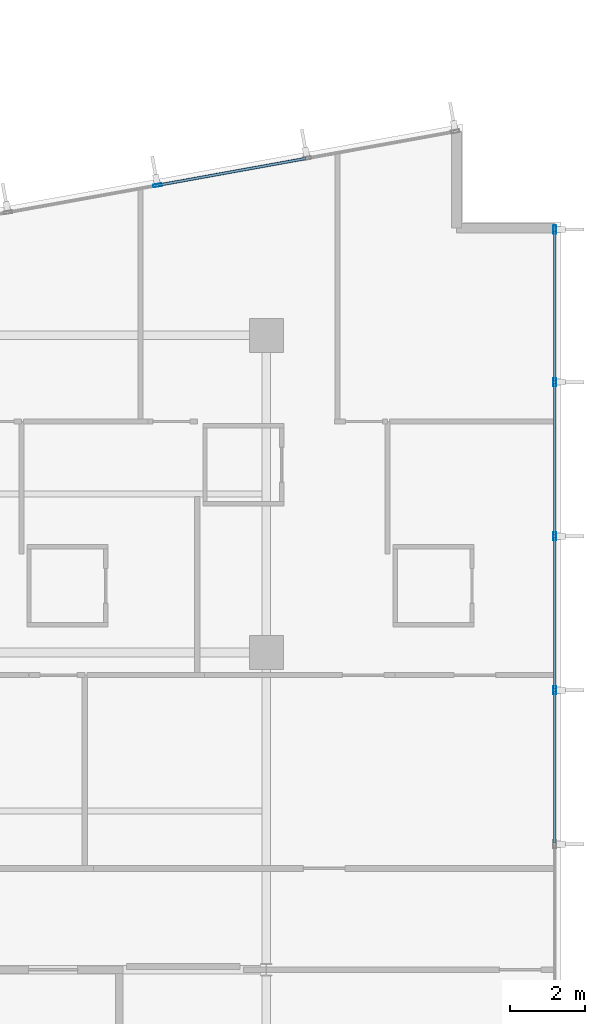
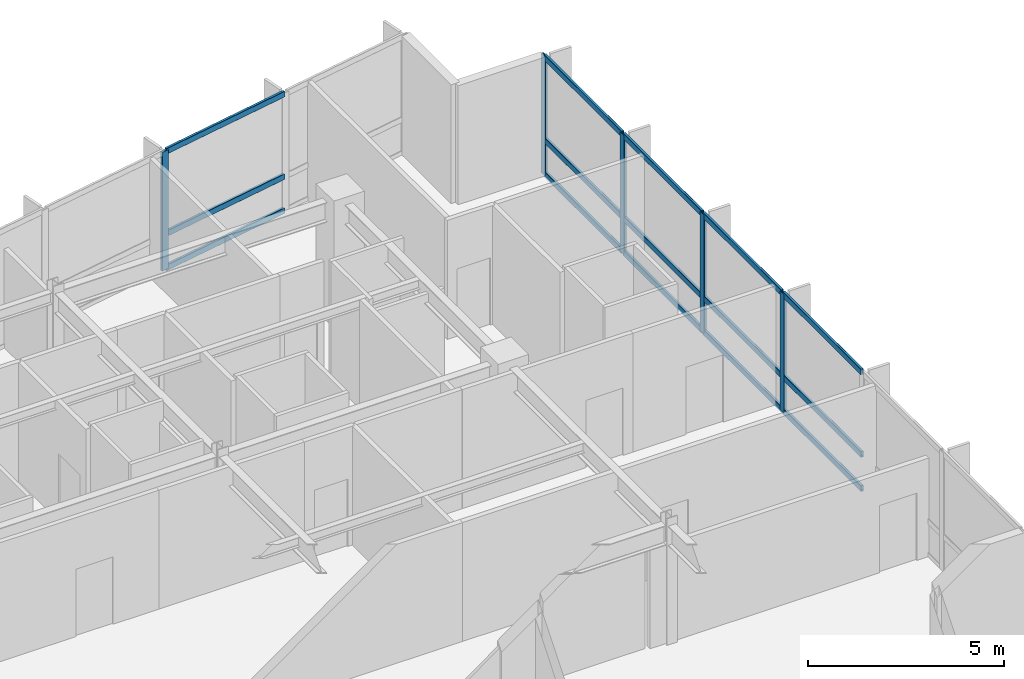
# One storey, part 9 of 22: 20 members, 2 elements without a shape of their own.
"""IFC4 building model written with IfcOpenShell, lengths in metres."""

from ifc_helpers import new_model, si_unit, direction, frame, origin, origin_2d, place, context, subcontext, project, spatial, hollow_rectangle, extrude, material, layer, layer_set, material_profile, profile_set, type_object, element, aggregate, save


model = new_model("IFC4")

# Units and contexts
model_context = context("Model", 3, precision=1e-05, world=origin(), true_north=direction((0.0, 1.0)))
body_context = subcontext(model_context, "Body", "Model", "MODEL_VIEW")
ifc_project = project(units=[si_unit("LENGTHUNIT", "METRE"), si_unit("AREAUNIT", "SQUARE_METRE"), si_unit("VOLUMEUNIT", "CUBIC_METRE"), si_unit("PLANEANGLEUNIT", "RADIAN"), si_unit("MASSUNIT", "GRAM", prefix="KILO")], contexts=[model_context])

# Site, building, storey
site_placement = place(None, origin())
site = spatial("IfcSite", under=ifc_project, at=site_placement, CompositionType="ELEMENT")
building_placement = place(site_placement, origin())
building = spatial("IfcBuilding", under=site, at=building_placement, Name="Varnakote Quay Hospital", CompositionType="ELEMENT")
storey_placement = place(building_placement, frame((0.0, 0.0, 62.0)))
storey = spatial("IfcBuildingStorey", under=building, at=storey_placement, Name="L15", CompositionType="ELEMENT", Elevation=62.0)

# Curtain wall, members
ifc_material_1 = material(Name="Anodised aluminium 6063-T6 Bronze", Category="aluminium")
ifc_layer = layer(ifc_material_1, 0.18994140625)
ifc_layer_set = layer_set([ifc_layer], Name="Anodised aluminium 6063-T6 Bronze")
curtain_wall_type = type_object("IfcCurtainWallType", Name="CW-SYS-2", PredefinedType="NOTDEFINED", material=ifc_layer_set)
curtain_wall_1_placement = place(storey_placement, origin())
curtain_wall_1 = element("IfcCurtainWall", 1, at=curtain_wall_1_placement, inside=storey, type_object=curtain_wall_type, Name="L15 Unitised Bronze Curtain Wall 1", PredefinedType="NOTDEFINED")
ifc_material_2 = material(Name="Anodised aluminium 6063-T6 Bronze", Category="aluminium")
ifc_material_profile_1 = material_profile(ifc_material_2, hollow_rectangle(XDim=0.074951171875, YDim=0.219970703125, WallThickness=0.00439453125, InnerFilletRadius=0.00439453125, OuterFilletRadius=0.009033203125, at=origin_2d()), Name="CW-MULL-220x75")
ifc_profile_set_1 = profile_set([ifc_material_profile_1], Name="Anodised aluminium 6063-T6 Bronze")
member_type_1 = type_object("IfcMemberType", Name="CW-MULL-220x75", PredefinedType="MULLION", material=ifc_profile_set_1)
member_1_placement = place(storey_placement, frame((58.0400390625, 19.39990234375, 0.0), z_axis=(0.0, 0.0, 1.0), x_axis=(-1.0, 0.0, 0.0)))
member_1 = element("IfcMember", 2, at=member_1_placement, type_object=member_type_1, Name="-2-L15-1 mullion 4", PredefinedType="MULLION", context=body_context, shape_type="SweptSolid", body=[
    extrude(hollow_rectangle(XDim=0.074951171875, YDim=0.219970703125, WallThickness=0.00439453125, InnerFilletRadius=0.00439453125, OuterFilletRadius=0.009033203125, at=origin_2d()), origin(), (0.0, 0.0, 1.0), 3.7099609375),
])
member_2_placement = place(storey_placement, frame((58.0400390625, 23.47998046875, 0.0), z_axis=(0.0, 0.0, 1.0), x_axis=(-1.0, 0.0, 0.0)))
member_2 = element("IfcMember", 3, at=member_2_placement, type_object=member_type_1, Name="-2-L15-1 mullion 5", PredefinedType="MULLION", context=body_context, shape_type="SweptSolid", body=[
    extrude(hollow_rectangle(XDim=0.074951171875, YDim=0.219970703125, WallThickness=0.00439453125, InnerFilletRadius=0.00439453125, OuterFilletRadius=0.009033203125, at=origin_2d()), origin(), (0.0, 0.0, 1.0), 3.7099609375),
])
member_3_placement = place(storey_placement, frame((58.0400390625, 27.56005859375, 0.0), z_axis=(0.0, 0.0, 1.0), x_axis=(-1.0, 0.0, 0.0)))
member_3 = element("IfcMember", 4, at=member_3_placement, type_object=member_type_1, Name="-2-L15-1 mullion 6", PredefinedType="MULLION", context=body_context, shape_type="SweptSolid", body=[
    extrude(hollow_rectangle(XDim=0.074951171875, YDim=0.219970703125, WallThickness=0.00439453125, InnerFilletRadius=0.00439453125, OuterFilletRadius=0.009033203125, at=origin_2d()), origin(), (0.0, 0.0, 1.0), 3.7099609375),
])
member_4_placement = place(storey_placement, frame((58.0400390625, 31.6025390625, 0.0), z_axis=(0.0, 0.0, 1.0), x_axis=(-1.0, 0.0, 0.0)))
member_4 = element("IfcMember", 5, at=member_4_placement, type_object=member_type_1, Name="-2-L15-1 mullion 7", PredefinedType="MULLION", context=body_context, shape_type="SweptSolid", body=[
    extrude(hollow_rectangle(XDim=0.074951171875, YDim=0.219970703125, WallThickness=0.00439453125, InnerFilletRadius=0.00439453125, OuterFilletRadius=0.009033203125, at=origin_2d()), origin(), (0.0, 0.0, 1.0), 3.7099609375),
])

# Curtain wall, member
curtain_wall_2_placement = place(storey_placement, origin())
curtain_wall_2 = element("IfcCurtainWall", 6, at=curtain_wall_2_placement, inside=storey, type_object=curtain_wall_type, Name="L15 Unitised Bronze Curtain Wall 2", PredefinedType="NOTDEFINED")
member_5_placement = place(storey_placement, frame((47.514892578125, 32.776123046875, 0.0), z_axis=(0.0, 0.0, 1.0), x_axis=(0.177846199098, -0.984058295766, 0.0)))
member_5 = element("IfcMember", 7, at=member_5_placement, type_object=member_type_1, Name="-2-L15-2 mullion 3", PredefinedType="MULLION", context=body_context, shape_type="SweptSolid", body=[
    extrude(hollow_rectangle(XDim=0.074951171875, YDim=0.219970703125, WallThickness=0.00439453125, InnerFilletRadius=0.00439453125, OuterFilletRadius=0.009033203125, at=origin_2d()), origin(), (0.0, 0.0, 1.0), 3.7099609375),
])

# Member
ifc_material_3 = material(Name="Anodised aluminium 6063-T6 Bronze", Category="aluminium")
ifc_material_profile_2 = material_profile(ifc_material_3, hollow_rectangle(XDim=0.074951171875, YDim=0.179931640625, WallThickness=0.004150390625, InnerFilletRadius=0.004150390625, OuterFilletRadius=0.00830078125, at=origin_2d()), Name="CW-TRAN-180x75")
ifc_profile_set_2 = profile_set([ifc_material_profile_2], Name="Anodised aluminium 6063-T6 Bronze")
member_type_2 = type_object("IfcMemberType", Name="CW-TRAN-180x75", PredefinedType="USERDEFINED", material=ifc_profile_set_2)
member_6_placement = place(storey_placement, frame((58.0400390625, 15.357421875, 0.03759765625), z_axis=(0.0, 1.0, 0.0), x_axis=(-1.0, 0.0, 0.0)))
member_6 = element("IfcMember", 8, at=member_6_placement, type_object=member_type_2, Name="-2-L15-1 transom 3.1", ObjectType="TRANSOM", PredefinedType="USERDEFINED", context=body_context, shape_type="SweptSolid", body=[
    extrude(hollow_rectangle(XDim=0.074951171875, YDim=0.179931640625, WallThickness=0.004150390625, InnerFilletRadius=0.004150390625, OuterFilletRadius=0.00830078125, at=origin_2d()), origin(), (0.0, 0.0, 1.0), 4.005126953125),
])

member_7_placement = place(storey_placement, frame((58.0400390625, 15.357421875, 1.10009765625), z_axis=(0.0, 1.0, 0.0), x_axis=(-1.0, 0.0, 0.0)))
member_7 = element("IfcMember", 9, at=member_7_placement, type_object=member_type_2, Name="-2-L15-1 transom 3.2", ObjectType="TRANSOM", PredefinedType="USERDEFINED", context=body_context, shape_type="SweptSolid", body=[
    extrude(hollow_rectangle(XDim=0.074951171875, YDim=0.179931640625, WallThickness=0.004150390625, InnerFilletRadius=0.004150390625, OuterFilletRadius=0.00830078125, at=origin_2d()), origin(), (0.0, 0.0, 1.0), 4.005126953125),
])

member_8_placement = place(storey_placement, frame((58.0400390625, 15.357421875, 3.672607421875), z_axis=(0.0, 1.0, 0.0), x_axis=(-1.0, 0.0, 0.0)))
member_8 = element("IfcMember", 10, at=member_8_placement, type_object=member_type_2, Name="-2-L15-1 transom 3.3", ObjectType="TRANSOM", PredefinedType="USERDEFINED", context=body_context, shape_type="SweptSolid", body=[
    extrude(hollow_rectangle(XDim=0.074951171875, YDim=0.179931640625, WallThickness=0.004150390625, InnerFilletRadius=0.004150390625, OuterFilletRadius=0.00830078125, at=origin_2d()), origin(), (0.0, 0.0, 1.0), 4.005126953125),
])

member_9_placement = place(storey_placement, frame((58.0400390625, 19.4375, 0.03759765625), z_axis=(0.0, 1.0, 0.0), x_axis=(-1.0, 0.0, 0.0)))
member_9 = element("IfcMember", 11, at=member_9_placement, type_object=member_type_2, Name="-2-L15-1 transom 4.1", ObjectType="TRANSOM", PredefinedType="USERDEFINED", context=body_context, shape_type="SweptSolid", body=[
    extrude(hollow_rectangle(XDim=0.074951171875, YDim=0.179931640625, WallThickness=0.004150390625, InnerFilletRadius=0.004150390625, OuterFilletRadius=0.00830078125, at=origin_2d()), origin(), (0.0, 0.0, 1.0), 4.0048828125),
])

member_10_placement = place(storey_placement, frame((58.0400390625, 19.4375, 1.10009765625), z_axis=(0.0, 1.0, 0.0), x_axis=(-1.0, 0.0, 0.0)))
member_10 = element("IfcMember", 12, at=member_10_placement, type_object=member_type_2, Name="-2-L15-1 transom 4.2", ObjectType="TRANSOM", PredefinedType="USERDEFINED", context=body_context, shape_type="SweptSolid", body=[
    extrude(hollow_rectangle(XDim=0.074951171875, YDim=0.179931640625, WallThickness=0.004150390625, InnerFilletRadius=0.004150390625, OuterFilletRadius=0.00830078125, at=origin_2d()), origin(), (0.0, 0.0, 1.0), 4.0048828125),
])

member_11_placement = place(storey_placement, frame((58.0400390625, 19.4375, 3.672607421875), z_axis=(0.0, 1.0, 0.0), x_axis=(-1.0, 0.0, 0.0)))
member_11 = element("IfcMember", 13, at=member_11_placement, type_object=member_type_2, Name="-2-L15-1 transom 4.3", ObjectType="TRANSOM", PredefinedType="USERDEFINED", context=body_context, shape_type="SweptSolid", body=[
    extrude(hollow_rectangle(XDim=0.074951171875, YDim=0.179931640625, WallThickness=0.004150390625, InnerFilletRadius=0.004150390625, OuterFilletRadius=0.00830078125, at=origin_2d()), origin(), (0.0, 0.0, 1.0), 4.0048828125),
])

member_12_placement = place(storey_placement, frame((58.0400390625, 23.517578125, 0.03759765625), z_axis=(0.0, 1.0, 0.0), x_axis=(-1.0, 0.0, 0.0)))
member_12 = element("IfcMember", 14, at=member_12_placement, type_object=member_type_2, Name="-2-L15-1 transom 5.1", ObjectType="TRANSOM", PredefinedType="USERDEFINED", context=body_context, shape_type="SweptSolid", body=[
    extrude(hollow_rectangle(XDim=0.074951171875, YDim=0.179931640625, WallThickness=0.004150390625, InnerFilletRadius=0.004150390625, OuterFilletRadius=0.00830078125, at=origin_2d()), origin(), (0.0, 0.0, 1.0), 4.0048828125),
])

member_13_placement = place(storey_placement, frame((58.0400390625, 23.517578125, 1.10009765625), z_axis=(0.0, 1.0, 0.0), x_axis=(-1.0, 0.0, 0.0)))
member_13 = element("IfcMember", 15, at=member_13_placement, type_object=member_type_2, Name="-2-L15-1 transom 5.2", ObjectType="TRANSOM", PredefinedType="USERDEFINED", context=body_context, shape_type="SweptSolid", body=[
    extrude(hollow_rectangle(XDim=0.074951171875, YDim=0.179931640625, WallThickness=0.004150390625, InnerFilletRadius=0.004150390625, OuterFilletRadius=0.00830078125, at=origin_2d()), origin(), (0.0, 0.0, 1.0), 4.0048828125),
])

member_14_placement = place(storey_placement, frame((58.0400390625, 23.517578125, 3.672607421875), z_axis=(0.0, 1.0, 0.0), x_axis=(-1.0, 0.0, 0.0)))
member_14 = element("IfcMember", 16, at=member_14_placement, type_object=member_type_2, Name="-2-L15-1 transom 5.3", ObjectType="TRANSOM", PredefinedType="USERDEFINED", context=body_context, shape_type="SweptSolid", body=[
    extrude(hollow_rectangle(XDim=0.074951171875, YDim=0.179931640625, WallThickness=0.004150390625, InnerFilletRadius=0.004150390625, OuterFilletRadius=0.00830078125, at=origin_2d()), origin(), (0.0, 0.0, 1.0), 4.0048828125),
])

member_15_placement = place(storey_placement, frame((58.0400390625, 27.597412109375, 0.03759765625), z_axis=(0.0, 1.0, 0.0), x_axis=(-1.0, 0.0, 0.0)))
member_15 = element("IfcMember", 17, at=member_15_placement, type_object=member_type_2, Name="-2-L15-1 transom 6.1", ObjectType="TRANSOM", PredefinedType="USERDEFINED", context=body_context, shape_type="SweptSolid", body=[
    extrude(hollow_rectangle(XDim=0.074951171875, YDim=0.179931640625, WallThickness=0.004150390625, InnerFilletRadius=0.004150390625, OuterFilletRadius=0.00830078125, at=origin_2d()), origin(), (0.0, 0.0, 1.0), 3.967529296875),
])

member_16_placement = place(storey_placement, frame((58.0400390625, 27.597412109375, 1.10009765625), z_axis=(0.0, 1.0, 0.0), x_axis=(-1.0, 0.0, 0.0)))
member_16 = element("IfcMember", 18, at=member_16_placement, type_object=member_type_2, Name="-2-L15-1 transom 6.2", ObjectType="TRANSOM", PredefinedType="USERDEFINED", context=body_context, shape_type="SweptSolid", body=[
    extrude(hollow_rectangle(XDim=0.074951171875, YDim=0.179931640625, WallThickness=0.004150390625, InnerFilletRadius=0.004150390625, OuterFilletRadius=0.00830078125, at=origin_2d()), origin(), (0.0, 0.0, 1.0), 3.967529296875),
])

member_17_placement = place(storey_placement, frame((58.0400390625, 27.597412109375, 3.672607421875), z_axis=(0.0, 1.0, 0.0), x_axis=(-1.0, 0.0, 0.0)))
member_17 = element("IfcMember", 19, at=member_17_placement, type_object=member_type_2, Name="-2-L15-1 transom 6.3", ObjectType="TRANSOM", PredefinedType="USERDEFINED", context=body_context, shape_type="SweptSolid", body=[
    extrude(hollow_rectangle(XDim=0.074951171875, YDim=0.179931640625, WallThickness=0.004150390625, InnerFilletRadius=0.004150390625, OuterFilletRadius=0.00830078125, at=origin_2d()), origin(), (0.0, 0.0, 1.0), 3.967529296875),
])

aggregate(curtain_wall_1, [member_1, member_2, member_3, member_4, member_6, member_7, member_8, member_9, member_10, member_11, member_12, member_13, member_14, member_15, member_16, member_17])

member_18_placement = place(storey_placement, frame((51.4404296875, 33.485595703125, 0.03759765625), z_axis=(-0.984065046829, -0.177808840079, 0.0), x_axis=(0.177808840079, -0.984065046829, 0.0)))
member_18 = element("IfcMember", 20, at=member_18_placement, type_object=member_type_2, Name="-2-L15-2 transom 2.1", ObjectType="TRANSOM", PredefinedType="USERDEFINED", context=body_context, shape_type="SweptSolid", body=[
    extrude(hollow_rectangle(XDim=0.074951171875, YDim=0.179931640625, WallThickness=0.004150390625, InnerFilletRadius=0.004150390625, OuterFilletRadius=0.00830078125, at=origin_2d()), origin(), (0.0, 0.0, 1.0), 3.95166015625),
])

member_19_placement = place(storey_placement, frame((51.4404296875, 33.485595703125, 1.10009765625), z_axis=(-0.984065046829, -0.177808840079, 0.0), x_axis=(0.177808840079, -0.984065046829, 0.0)))
member_19 = element("IfcMember", 21, at=member_19_placement, type_object=member_type_2, Name="-2-L15-2 transom 2.2", ObjectType="TRANSOM", PredefinedType="USERDEFINED", context=body_context, shape_type="SweptSolid", body=[
    extrude(hollow_rectangle(XDim=0.074951171875, YDim=0.179931640625, WallThickness=0.004150390625, InnerFilletRadius=0.004150390625, OuterFilletRadius=0.00830078125, at=origin_2d()), origin(), (0.0, 0.0, 1.0), 3.95166015625),
])

member_20_placement = place(storey_placement, frame((51.4404296875, 33.485595703125, 3.672607421875), z_axis=(-0.984065046829, -0.177808840079, 0.0), x_axis=(0.177808840079, -0.984065046829, 0.0)))
member_20 = element("IfcMember", 22, at=member_20_placement, type_object=member_type_2, Name="-2-L15-2 transom 2.3", ObjectType="TRANSOM", PredefinedType="USERDEFINED", context=body_context, shape_type="SweptSolid", body=[
    extrude(hollow_rectangle(XDim=0.074951171875, YDim=0.179931640625, WallThickness=0.004150390625, InnerFilletRadius=0.004150390625, OuterFilletRadius=0.00830078125, at=origin_2d()), origin(), (0.0, 0.0, 1.0), 3.95166015625),
])

aggregate(curtain_wall_2, [member_5, member_18, member_19, member_20])

save(model, "model.ifc")
